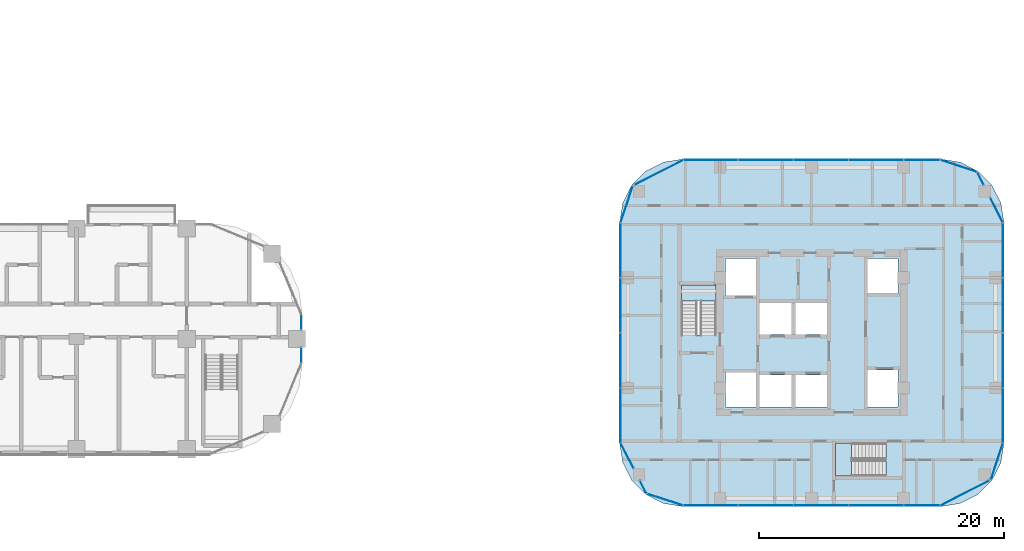
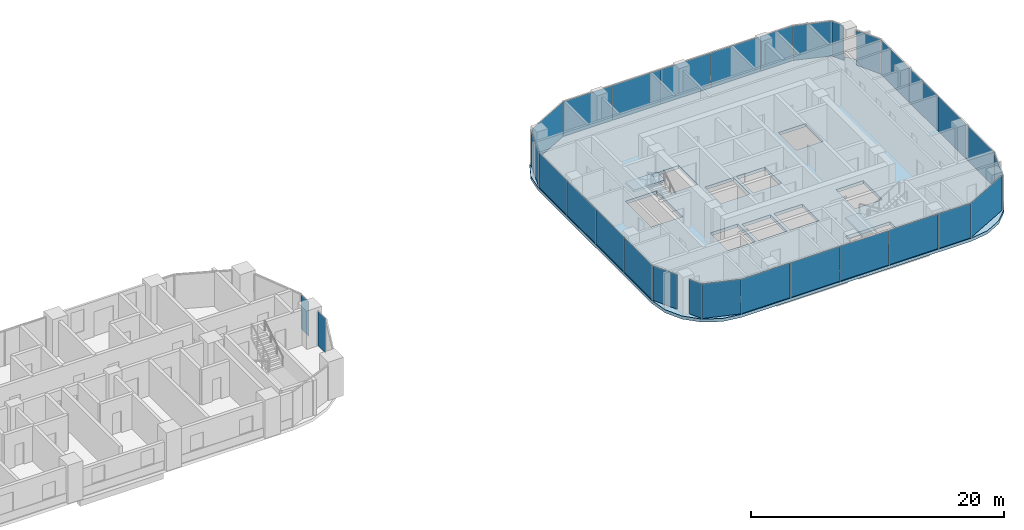
# One storey, part 13 of 30: 30 plates, 3 slabs, 16 elements without a shape of their own.
"""IFC4 building model written with IfcOpenShell, lengths in metres."""

from ifc_helpers import new_model, si_unit, direction, frame, origin, origin_2d, place, context, subcontext, project, spatial, polyline, rectangle, outline, extrude, material, layer, layer_set, type_object, element, aggregate, save


model = new_model("IFC4")

# Units and contexts
model_context = context("Model", 3, precision=1e-05, world=origin(), true_north=direction((0.0, 1.0)))
body_context = subcontext(model_context, "Body", "Model", "MODEL_VIEW")
ifc_project = project(units=[si_unit("LENGTHUNIT", "METRE"), si_unit("AREAUNIT", "SQUARE_METRE"), si_unit("VOLUMEUNIT", "CUBIC_METRE"), si_unit("PLANEANGLEUNIT", "RADIAN"), si_unit("MASSUNIT", "GRAM", prefix="KILO")], contexts=[model_context])

# Site, building, storey
site_placement = place(None, origin())
site = spatial("IfcSite", under=ifc_project, at=site_placement, CompositionType="ELEMENT")
building_placement = place(site_placement, origin())
building = spatial("IfcBuilding", under=site, at=building_placement, Name="Ogive Portal Towers", CompositionType="ELEMENT")
storey_placement = place(building_placement, frame((0.0, 0.0, 37.199951171875)))
storey = spatial("IfcBuildingStorey", under=building, at=storey_placement, Name="L07", CompositionType="ELEMENT", Elevation=37.199951171875)

# Curtain wall, plate
ifc_material_1 = material(Name="Glass, clear low-iron insulated glazing", Category="glass")
curtain_wall_type_1 = type_object("IfcCurtainWallType", Name="CW FRONT RIBBON 4500", PredefinedType="NOTDEFINED", material=ifc_material_1)
curtain_wall_1_placement = place(storey_placement, origin())
curtain_wall_1 = element("IfcCurtainWall", 1, at=curtain_wall_1_placement, inside=storey, type_object=curtain_wall_type_1, Name="A:L07:f24:cw0~0", PredefinedType="NOTDEFINED")
ifc_layer_1 = layer(ifc_material_1, 0.028076171875)
ifc_layer_set_1 = layer_set([ifc_layer_1], Name="CW PANEL IGU 28")
plate_type = type_object("IfcPlateType", Name="CW PANEL IGU 28", PredefinedType="CURTAIN_PANEL", material=ifc_layer_set_1)
plate_1_placement = place(storey_placement, frame((94.844970703125, 29.157958984375, 0.0), z_axis=(0.0, 0.0, 1.0), x_axis=(0.0, 1.0, 0.0)))
plate_1 = element("IfcPlate", 2, at=plate_1_placement, type_object=plate_type, Name="panel", PredefinedType="CURTAIN_PANEL", context=body_context, shape_type="SweptSolid", body=[
    extrude(rectangle(XDim=1.22412109375, YDim=0.028076171875, at=origin_2d()), origin(), (0.0, 0.0, 1.0), 3.340087890625),
])
aggregate(curtain_wall_1, [plate_1])

curtain_wall_2_placement = place(storey_placement, origin())
curtain_wall_2 = element("IfcCurtainWall", 3, at=curtain_wall_2_placement, inside=storey, type_object=curtain_wall_type_1, Name="A:L07:f24:cw0~1", PredefinedType="NOTDEFINED")
plate_2_placement = place(storey_placement, frame((94.844970703125, 31.842041015625, 0.0), z_axis=(0.0, 0.0, 1.0), x_axis=(0.0, 1.0, 0.0)))
plate_2 = element("IfcPlate", 4, at=plate_2_placement, type_object=plate_type, Name="panel", PredefinedType="CURTAIN_PANEL", context=body_context, shape_type="SweptSolid", body=[
    extrude(rectangle(XDim=1.22412109375, YDim=0.028076171875, at=origin_2d()), origin(), (0.0, 0.0, 1.0), 3.340087890625),
])
aggregate(curtain_wall_2, [plate_2])

# Curtain wall, plates
curtain_wall_type_2 = type_object("IfcCurtainWallType", Name="CW RESIDENCES RIBBON", PredefinedType="NOTDEFINED", material=ifc_material_1)
curtain_wall_3_placement = place(storey_placement, origin())
curtain_wall_3 = element("IfcCurtainWall", 5, at=curtain_wall_3_placement, inside=storey, type_object=curtain_wall_type_2, Name="B:L07:f02:cw0", PredefinedType="NOTDEFINED")
plate_3_placement = place(storey_placement, frame((128.25634765625, 16.89990234375, 0.0), z_axis=(0.0, 0.0, 1.0), x_axis=(1.0, 0.0, 0.0)))
plate_3 = element("IfcPlate", 6, at=plate_3_placement, type_object=plate_type, Name="panel", PredefinedType="CURTAIN_PANEL", context=body_context, shape_type="SweptSolid", body=[
    extrude(rectangle(XDim=4.42724609375, YDim=0.028076171875, at=origin_2d()), origin(), (0.0, 0.0, 1.0), 3.340087890625),
])
plate_4_placement = place(storey_placement, frame((132.75, 16.89990234375, 0.0), z_axis=(0.0, 0.0, 1.0), x_axis=(1.0, 0.0, 0.0)))
plate_4 = element("IfcPlate", 7, at=plate_4_placement, type_object=plate_type, Name="panel", PredefinedType="CURTAIN_PANEL", context=body_context, shape_type="SweptSolid", body=[
    extrude(rectangle(XDim=4.43994140625, YDim=0.028076171875, at=origin_2d()), origin(), (0.0, 0.0, 1.0), 3.340087890625),
])
plate_5_placement = place(storey_placement, frame((137.25, 16.89990234375, 0.0), z_axis=(0.0, 0.0, 1.0), x_axis=(1.0, 0.0, 0.0)))
plate_5 = element("IfcPlate", 8, at=plate_5_placement, type_object=plate_type, Name="panel", PredefinedType="CURTAIN_PANEL", context=body_context, shape_type="SweptSolid", body=[
    extrude(rectangle(XDim=4.43994140625, YDim=0.028076171875, at=origin_2d()), origin(), (0.0, 0.0, 1.0), 3.340087890625),
])
plate_6_placement = place(storey_placement, frame((141.75, 16.89990234375, 0.0), z_axis=(0.0, 0.0, 1.0), x_axis=(1.0, 0.0, 0.0)))
plate_6 = element("IfcPlate", 9, at=plate_6_placement, type_object=plate_type, Name="panel", PredefinedType="CURTAIN_PANEL", context=body_context, shape_type="SweptSolid", body=[
    extrude(rectangle(XDim=4.43994140625, YDim=0.028076171875, at=origin_2d()), origin(), (0.0, 0.0, 1.0), 3.340087890625),
])
plate_7_placement = place(storey_placement, frame((145.490478515625, 16.89990234375, 0.0), z_axis=(0.0, 0.0, 1.0), x_axis=(1.0, 0.0, 0.0)))
plate_7 = element("IfcPlate", 10, at=plate_7_placement, type_object=plate_type, Name="panel", PredefinedType="CURTAIN_PANEL", context=body_context, shape_type="SweptSolid", body=[
    extrude(rectangle(XDim=2.9208984375, YDim=0.028076171875, at=origin_2d()), origin(), (0.0, 0.0, 1.0), 3.340087890625),
])
aggregate(curtain_wall_3, [plate_3, plate_4, plate_5, plate_6, plate_7])

curtain_wall_4_placement = place(storey_placement, origin())
curtain_wall_4 = element("IfcCurtainWall", 11, at=curtain_wall_4_placement, inside=storey, type_object=curtain_wall_type_2, Name="B:L07:f05:cw0", PredefinedType="NOTDEFINED")
plate_8_placement = place(storey_placement, frame((152.10009765625, 24.25634765625, 0.0), z_axis=(0.0, 0.0, 1.0), x_axis=(0.0, 1.0, 0.0)))
plate_8 = element("IfcPlate", 12, at=plate_8_placement, type_object=plate_type, Name="panel", PredefinedType="CURTAIN_PANEL", context=body_context, shape_type="SweptSolid", body=[
    extrude(rectangle(XDim=4.42724609375, YDim=0.028076171875, at=origin_2d()), origin(), (0.0, 0.0, 1.0), 3.340087890625),
])
plate_9_placement = place(storey_placement, frame((152.10009765625, 28.75, 0.0), z_axis=(0.0, 0.0, 1.0), x_axis=(0.0, 1.0, 0.0)))
plate_9 = element("IfcPlate", 13, at=plate_9_placement, type_object=plate_type, Name="panel", PredefinedType="CURTAIN_PANEL", context=body_context, shape_type="SweptSolid", body=[
    extrude(rectangle(XDim=4.43994140625, YDim=0.028076171875, at=origin_2d()), origin(), (0.0, 0.0, 1.0), 3.340087890625),
])
plate_10_placement = place(storey_placement, frame((152.10009765625, 33.25, 0.0), z_axis=(0.0, 0.0, 1.0), x_axis=(0.0, 1.0, 0.0)))
plate_10 = element("IfcPlate", 14, at=plate_10_placement, type_object=plate_type, Name="panel", PredefinedType="CURTAIN_PANEL", context=body_context, shape_type="SweptSolid", body=[
    extrude(rectangle(XDim=4.43994140625, YDim=0.028076171875, at=origin_2d()), origin(), (0.0, 0.0, 1.0), 3.340087890625),
])
plate_11_placement = place(storey_placement, frame((152.10009765625, 37.740478515625, 0.0), z_axis=(0.0, 0.0, 1.0), x_axis=(0.0, 1.0, 0.0)))
plate_11 = element("IfcPlate", 15, at=plate_11_placement, type_object=plate_type, Name="panel", PredefinedType="CURTAIN_PANEL", context=body_context, shape_type="SweptSolid", body=[
    extrude(rectangle(XDim=4.4208984375, YDim=0.028076171875, at=origin_2d()), origin(), (0.0, 0.0, 1.0), 3.340087890625),
])
aggregate(curtain_wall_4, [plate_8, plate_9, plate_10, plate_11])

curtain_wall_5_placement = place(storey_placement, origin())
curtain_wall_5 = element("IfcCurtainWall", 16, at=curtain_wall_5_placement, inside=storey, type_object=curtain_wall_type_2, Name="B:L07:f08:cw0", PredefinedType="NOTDEFINED")
plate_12_placement = place(storey_placement, frame((145.49365234375, 45.10009765625, 0.0), z_axis=(0.0, 0.0, 1.0), x_axis=(-1.0, 0.0, 0.0)))
plate_12 = element("IfcPlate", 17, at=plate_12_placement, type_object=plate_type, Name="panel", PredefinedType="CURTAIN_PANEL", context=body_context, shape_type="SweptSolid", body=[
    extrude(rectangle(XDim=2.92724609375, YDim=0.028076171875, at=origin_2d()), origin(), (0.0, 0.0, 1.0), 3.340087890625),
])
plate_13_placement = place(storey_placement, frame((141.75, 45.10009765625, 0.0), z_axis=(0.0, 0.0, 1.0), x_axis=(-1.0, 0.0, 0.0)))
plate_13 = element("IfcPlate", 18, at=plate_13_placement, type_object=plate_type, Name="panel", PredefinedType="CURTAIN_PANEL", context=body_context, shape_type="SweptSolid", body=[
    extrude(rectangle(XDim=4.43994140625, YDim=0.028076171875, at=origin_2d()), origin(), (0.0, 0.0, 1.0), 3.340087890625),
])
plate_14_placement = place(storey_placement, frame((137.25, 45.10009765625, 0.0), z_axis=(0.0, 0.0, 1.0), x_axis=(-1.0, 0.0, 0.0)))
plate_14 = element("IfcPlate", 19, at=plate_14_placement, type_object=plate_type, Name="panel", PredefinedType="CURTAIN_PANEL", context=body_context, shape_type="SweptSolid", body=[
    extrude(rectangle(XDim=4.43994140625, YDim=0.028076171875, at=origin_2d()), origin(), (0.0, 0.0, 1.0), 3.340087890625),
])
plate_15_placement = place(storey_placement, frame((132.75, 45.10009765625, 0.0), z_axis=(0.0, 0.0, 1.0), x_axis=(-1.0, 0.0, 0.0)))
plate_15 = element("IfcPlate", 20, at=plate_15_placement, type_object=plate_type, Name="panel", PredefinedType="CURTAIN_PANEL", context=body_context, shape_type="SweptSolid", body=[
    extrude(rectangle(XDim=4.43994140625, YDim=0.028076171875, at=origin_2d()), origin(), (0.0, 0.0, 1.0), 3.340087890625),
])
plate_16_placement = place(storey_placement, frame((128.259521484375, 45.10009765625, 0.0), z_axis=(0.0, 0.0, 1.0), x_axis=(-1.0, 0.0, 0.0)))
plate_16 = element("IfcPlate", 21, at=plate_16_placement, type_object=plate_type, Name="panel", PredefinedType="CURTAIN_PANEL", context=body_context, shape_type="SweptSolid", body=[
    extrude(rectangle(XDim=4.4208984375, YDim=0.028076171875, at=origin_2d()), origin(), (0.0, 0.0, 1.0), 3.340087890625),
])
aggregate(curtain_wall_5, [plate_12, plate_13, plate_14, plate_15, plate_16])

curtain_wall_6_placement = place(storey_placement, origin())
curtain_wall_6 = element("IfcCurtainWall", 22, at=curtain_wall_6_placement, inside=storey, type_object=curtain_wall_type_2, Name="B:L07:f11:cw0", PredefinedType="NOTDEFINED")
plate_17_placement = place(storey_placement, frame((120.89990234375, 37.74365234375, 0.0), z_axis=(0.0, 0.0, 1.0), x_axis=(0.0, -1.0, 0.0)))
plate_17 = element("IfcPlate", 23, at=plate_17_placement, type_object=plate_type, Name="panel", PredefinedType="CURTAIN_PANEL", context=body_context, shape_type="SweptSolid", body=[
    extrude(rectangle(XDim=4.42724609375, YDim=0.028076171875, at=origin_2d()), origin(), (0.0, 0.0, 1.0), 3.340087890625),
])
plate_18_placement = place(storey_placement, frame((120.89990234375, 33.25, 0.0), z_axis=(0.0, 0.0, 1.0), x_axis=(0.0, -1.0, 0.0)))
plate_18 = element("IfcPlate", 24, at=plate_18_placement, type_object=plate_type, Name="panel", PredefinedType="CURTAIN_PANEL", context=body_context, shape_type="SweptSolid", body=[
    extrude(rectangle(XDim=4.43994140625, YDim=0.028076171875, at=origin_2d()), origin(), (0.0, 0.0, 1.0), 3.340087890625),
])
plate_19_placement = place(storey_placement, frame((120.89990234375, 28.75, 0.0), z_axis=(0.0, 0.0, 1.0), x_axis=(0.0, -1.0, 0.0)))
plate_19 = element("IfcPlate", 25, at=plate_19_placement, type_object=plate_type, Name="panel", PredefinedType="CURTAIN_PANEL", context=body_context, shape_type="SweptSolid", body=[
    extrude(rectangle(XDim=4.43994140625, YDim=0.028076171875, at=origin_2d()), origin(), (0.0, 0.0, 1.0), 3.340087890625),
])
plate_20_placement = place(storey_placement, frame((120.89990234375, 24.259521484375, 0.0), z_axis=(0.0, 0.0, 1.0), x_axis=(0.0, -1.0, 0.0)))
plate_20 = element("IfcPlate", 26, at=plate_20_placement, type_object=plate_type, Name="panel", PredefinedType="CURTAIN_PANEL", context=body_context, shape_type="SweptSolid", body=[
    extrude(rectangle(XDim=4.4208984375, YDim=0.028076171875, at=origin_2d()), origin(), (0.0, 0.0, 1.0), 3.340087890625),
])
aggregate(curtain_wall_6, [plate_17, plate_18, plate_19, plate_20])

# Curtain wall, plate
curtain_wall_7_placement = place(storey_placement, origin())
curtain_wall_7 = element("IfcCurtainWall", 27, at=curtain_wall_7_placement, inside=storey, type_object=curtain_wall_type_2, Name="B:L07:f00:cwa~0", PredefinedType="NOTDEFINED")
plate_21_placement = place(storey_placement, frame((121.42919921875, 20.980712890625, 0.0), z_axis=(0.0, 0.0, 1.0), x_axis=(0.45399049974, -0.891006524188, 0.0)))
plate_21 = element("IfcPlate", 28, at=plate_21_placement, type_object=plate_type, Name="panel", PredefinedType="CURTAIN_PANEL", context=body_context, shape_type="SweptSolid", body=[
    extrude(rectangle(XDim=2.271240234375, YDim=0.028076171875, at=origin_2d()), origin(), (0.0, 0.0, 1.0), 3.340087890625),
])
aggregate(curtain_wall_7, [plate_21])

# Curtain wall, plates
curtain_wall_8_placement = place(storey_placement, origin())
curtain_wall_8 = element("IfcCurtainWall", 29, at=curtain_wall_8_placement, inside=storey, type_object=curtain_wall_type_2, Name="B:L07:f00:cwa~1", PredefinedType="NOTDEFINED")
plate_22_placement = place(storey_placement, frame((122.73974609375, 18.408447265625, 0.0), z_axis=(0.0, 0.0, 1.0), x_axis=(0.45399049974, -0.891006524188, 0.0)))
plate_22 = element("IfcPlate", 30, at=plate_22_placement, type_object=plate_type, Name="panel", PredefinedType="CURTAIN_PANEL", context=body_context, shape_type="SweptSolid", body=[
    extrude(rectangle(XDim=1.137451171875, YDim=0.028076171875, at=origin_2d()), origin(), (0.0, 0.0, 1.0), 3.340087890625),
])
plate_23_placement = place(storey_placement, frame((124.51220703125, 17.387451171875, 0.0), z_axis=(0.0, 0.0, 1.0), x_axis=(0.951056516295, -0.309016994375, 0.0)))
plate_23 = element("IfcPlate", 31, at=plate_23_placement, type_object=plate_type, Name="panel", PredefinedType="CURTAIN_PANEL", context=body_context, shape_type="SweptSolid", body=[
    extrude(rectangle(XDim=3.095703125, YDim=0.028076171875, at=origin_2d()), origin(), (0.0, 0.0, 1.0), 3.340087890625),
])
aggregate(curtain_wall_8, [plate_22, plate_23])

# Curtain wall, plate
curtain_wall_9_placement = place(storey_placement, origin())
curtain_wall_9 = element("IfcCurtainWall", 32, at=curtain_wall_9_placement, inside=storey, type_object=curtain_wall_type_2, Name="B:L07:f03:cwa~0", PredefinedType="NOTDEFINED")
plate_24_placement = place(storey_placement, frame((148.984619140625, 17.9208984375, 0.0), z_axis=(0.0, 0.0, 1.0), x_axis=(0.891006524188, 0.45399049974, 0.0)))
plate_24 = element("IfcPlate", 33, at=plate_24_placement, type_object=plate_type, Name="panel", PredefinedType="CURTAIN_PANEL", context=body_context, shape_type="SweptSolid", body=[
    extrude(rectangle(XDim=4.43798828125, YDim=0.028076171875, at=origin_2d()), origin(), (0.0, 0.0, 1.0), 3.340087890625),
])
aggregate(curtain_wall_9, [plate_24])

curtain_wall_10_placement = place(storey_placement, origin())
curtain_wall_10 = element("IfcCurtainWall", 34, at=curtain_wall_10_placement, inside=storey, type_object=curtain_wall_type_2, Name="B:L07:f03:cwa~1", PredefinedType="NOTDEFINED")
plate_25_placement = place(storey_placement, frame((151.599609375, 20.505615234375, 0.0), z_axis=(0.0, 0.0, 1.0), x_axis=(0.315156488428, 0.949039718769, 0.0)))
plate_25 = element("IfcPlate", 35, at=plate_25_placement, type_object=plate_type, Name="panel", PredefinedType="CURTAIN_PANEL", context=body_context, shape_type="SweptSolid", body=[
    extrude(rectangle(XDim=3.1162109375, YDim=0.028076171875, at=origin_2d()), origin(), (0.0, 0.0, 1.0), 3.340087890625),
])
aggregate(curtain_wall_10, [plate_25])

curtain_wall_11_placement = place(storey_placement, origin())
curtain_wall_11 = element("IfcCurtainWall", 36, at=curtain_wall_11_placement, inside=storey, type_object=curtain_wall_type_2, Name="B:L07:f06:cwa~0", PredefinedType="NOTDEFINED")
plate_26_placement = place(storey_placement, frame((151.57080078125, 41.019287109375, 0.0), z_axis=(0.0, 0.0, 1.0), x_axis=(-0.45399049974, 0.891006524188, 0.0)))
plate_26 = element("IfcPlate", 37, at=plate_26_placement, type_object=plate_type, Name="panel", PredefinedType="CURTAIN_PANEL", context=body_context, shape_type="SweptSolid", body=[
    extrude(rectangle(XDim=2.271240234375, YDim=0.028076171875, at=origin_2d()), origin(), (0.0, 0.0, 1.0), 3.340087890625),
])
aggregate(curtain_wall_11, [plate_26])

# Curtain wall, plates
curtain_wall_12_placement = place(storey_placement, origin())
curtain_wall_12 = element("IfcCurtainWall", 38, at=curtain_wall_12_placement, inside=storey, type_object=curtain_wall_type_2, Name="B:L07:f06:cwa~1", PredefinedType="NOTDEFINED")
plate_27_placement = place(storey_placement, frame((150.26025390625, 43.591552734375, 0.0), z_axis=(0.0, 0.0, 1.0), x_axis=(-0.45399049974, 0.891006524188, 0.0)))
plate_27 = element("IfcPlate", 39, at=plate_27_placement, type_object=plate_type, Name="panel", PredefinedType="CURTAIN_PANEL", context=body_context, shape_type="SweptSolid", body=[
    extrude(rectangle(XDim=1.137451171875, YDim=0.028076171875, at=origin_2d()), origin(), (0.0, 0.0, 1.0), 3.340087890625),
])
plate_28_placement = place(storey_placement, frame((148.48779296875, 44.612548828125, 0.0), z_axis=(0.0, 0.0, 1.0), x_axis=(-0.951056516295, 0.309016994375, 0.0)))
plate_28 = element("IfcPlate", 40, at=plate_28_placement, type_object=plate_type, Name="panel", PredefinedType="CURTAIN_PANEL", context=body_context, shape_type="SweptSolid", body=[
    extrude(rectangle(XDim=3.095703125, YDim=0.028076171875, at=origin_2d()), origin(), (0.0, 0.0, 1.0), 3.340087890625),
])
aggregate(curtain_wall_12, [plate_27, plate_28])

# Curtain wall, plate
curtain_wall_13_placement = place(storey_placement, origin())
curtain_wall_13 = element("IfcCurtainWall", 41, at=curtain_wall_13_placement, inside=storey, type_object=curtain_wall_type_2, Name="B:L07:f09:cwa~0", PredefinedType="NOTDEFINED")
plate_29_placement = place(storey_placement, frame((124.015380859375, 44.0791015625, 0.0), z_axis=(0.0, 0.0, 1.0), x_axis=(-0.891006524188, -0.45399049974, 0.0)))
plate_29 = element("IfcPlate", 42, at=plate_29_placement, type_object=plate_type, Name="panel", PredefinedType="CURTAIN_PANEL", context=body_context, shape_type="SweptSolid", body=[
    extrude(rectangle(XDim=4.43798828125, YDim=0.028076171875, at=origin_2d()), origin(), (0.0, 0.0, 1.0), 3.340087890625),
])
aggregate(curtain_wall_13, [plate_29])

curtain_wall_14_placement = place(storey_placement, origin())
curtain_wall_14 = element("IfcCurtainWall", 43, at=curtain_wall_14_placement, inside=storey, type_object=curtain_wall_type_2, Name="B:L07:f09:cwa~1", PredefinedType="NOTDEFINED")
plate_30_placement = place(storey_placement, frame((121.400390625, 41.494384765625, 0.0), z_axis=(0.0, 0.0, 1.0), x_axis=(-0.315156488428, -0.949039718769, 0.0)))
plate_30 = element("IfcPlate", 44, at=plate_30_placement, type_object=plate_type, Name="panel", PredefinedType="CURTAIN_PANEL", context=body_context, shape_type="SweptSolid", body=[
    extrude(rectangle(XDim=3.1162109375, YDim=0.028076171875, at=origin_2d()), origin(), (0.0, 0.0, 1.0), 3.340087890625),
])
aggregate(curtain_wall_14, [plate_30])

# Stair, slab
ifc_material_2 = material(Name="Concrete C40/50", Category="concrete")
stair_type = type_object("IfcStairType", Name="INT-STAIR", PredefinedType="HALF_TURN_STAIR", material=ifc_material_2)
stair_1_placement = place(storey_placement, origin())
stair_1 = element("IfcStair", 45, at=stair_1_placement, inside=storey, type_object=stair_type, Name="L07 Exit Stair ST-B1", PredefinedType="HALF_TURN_STAIR")
ifc_layer_2 = layer(ifc_material_2, 0.199951171875)
ifc_layer_set_2 = layer_set([ifc_layer_2], Name="INT-LANDING")
slab_type_1 = type_object("IfcSlabType", Name="INT-LANDING", PredefinedType="LANDING", material=ifc_layer_set_2)
slab_1_placement = place(storey_placement, frame((0.0, 0.0, 1.650146484375)))
slab_1 = element("IfcSlab", 46, at=slab_1_placement, type_object=slab_type_1, Name="ST-B1 landing 1", PredefinedType="LANDING", context=body_context, shape_type="SweptSolid", body=[
    extrude(outline(polyline([(128.699951171875, 33.60009765625), (128.699951171875, 34.89990234375), (125.85009765625, 34.89990234375), (125.85009765625, 33.60009765625), (128.699951171875, 33.60009765625)])), origin(), (0.0, 0.0, 1.0), 0.199951171875),
])
aggregate(stair_1, [slab_1])

stair_2_placement = place(storey_placement, origin())
stair_2 = element("IfcStair", 47, at=stair_2_placement, inside=storey, type_object=stair_type, Name="L07 Exit Stair ST-B2", PredefinedType="HALF_TURN_STAIR")
slab_2_placement = place(storey_placement, frame((0.0, 0.0, 1.650146484375)))
slab_2 = element("IfcSlab", 48, at=slab_2_placement, type_object=slab_type_1, Name="ST-B2 landing 1", PredefinedType="LANDING", context=body_context, shape_type="SweptSolid", body=[
    extrude(outline(polyline([(139.75, 22.0), (138.449951171875, 22.0), (138.449951171875, 19.300048828125), (139.75, 19.300048828125), (139.75, 22.0)])), origin(), (0.0, 0.0, 1.0), 0.199951171875),
])
aggregate(stair_2, [slab_2])

# Slab
ifc_material_3 = material(Name="Concrete C45/55", Category="concrete")
ifc_layer_3 = layer(ifc_material_3, 0.300048828125)
ifc_layer_set_3 = layer_set([ifc_layer_3], Name="PT FLAT PLATE 300")
slab_type_2 = type_object("IfcSlabType", Name="PT FLAT PLATE 300", PredefinedType="FLOOR", material=ifc_layer_set_3)
slab_3_placement = place(storey_placement, frame((0.0, 0.0, -0.300048828125)))
element("IfcSlab", 49, at=slab_3_placement, inside=storey, type_object=slab_type_2, Name="Floor slab L07", PredefinedType="FLOOR", context=body_context, shape_type="SweptSolid", body=[
    extrude(outline(polyline([(120.820068359375, 40.0), (120.820068359375, 22.0), (121.073486328125, 20.3994140625), (121.809326171875, 18.955322265625), (122.955322265625, 17.809326171875), (124.3994140625, 17.073486328125), (126.0, 16.820068359375), (147.0, 16.820068359375), (148.6005859375, 17.073486328125), (150.044677734375, 17.809326171875), (151.190673828125, 18.955322265625), (151.926513671875, 20.3994140625), (152.179931640625, 22.0), (152.179931640625, 40.0), (151.926513671875, 41.6005859375), (151.190673828125, 43.044677734375), (150.044677734375, 44.190673828125), (148.6005859375, 44.926513671875), (147.0, 45.179931640625), (126.0, 45.179931640625), (124.3994140625, 44.926513671875), (122.955322265625, 44.190673828125), (121.809326171875, 43.044677734375), (121.073486328125, 41.6005859375), (120.820068359375, 40.0)]), holes=[polyline([(131.949951171875, 27.75), (131.949951171875, 24.949951171875), (129.449951171875, 24.949951171875), (129.449951171875, 27.75), (131.949951171875, 27.75)]), polyline([(128.697998046875, 34.89794921875), (128.697998046875, 30.802001953125), (125.85205078125, 30.802001953125), (125.85205078125, 34.89794921875), (128.697998046875, 34.89794921875)]), polyline([(131.949951171875, 37.050048828125), (131.949951171875, 34.050048828125), (129.449951171875, 34.050048828125), (129.449951171875, 37.050048828125), (131.949951171875, 37.050048828125)]), polyline([(138.451904296875, 21.998046875), (142.548095703125, 21.998046875), (142.548095703125, 19.302001953125), (138.451904296875, 19.302001953125), (138.451904296875, 21.998046875)]), polyline([(134.85009765625, 27.550048828125), (134.85009765625, 24.949951171875), (132.25, 24.949951171875), (132.25, 27.550048828125), (134.85009765625, 27.550048828125)]), polyline([(137.75, 27.550048828125), (137.75, 24.949951171875), (135.14990234375, 24.949951171875), (135.14990234375, 27.550048828125), (137.75, 27.550048828125)]), polyline([(143.550048828125, 27.949951171875), (143.550048828125, 24.949951171875), (141.050048828125, 24.949951171875), (141.050048828125, 27.949951171875), (143.550048828125, 27.949951171875)]), polyline([(134.85009765625, 33.449951171875), (134.85009765625, 30.85009765625), (132.25, 30.85009765625), (132.25, 33.449951171875), (134.85009765625, 33.449951171875)]), polyline([(137.75, 33.449951171875), (137.75, 30.85009765625), (135.14990234375, 30.85009765625), (135.14990234375, 33.449951171875), (137.75, 33.449951171875)]), polyline([(141.050048828125, 37.050048828125), (143.550048828125, 37.050048828125), (143.550048828125, 34.25), (141.050048828125, 34.25), (141.050048828125, 37.050048828125)])]), origin(), (0.0, 0.0, 1.0), 0.300048828125),
])

save(model, "model.ifc")
